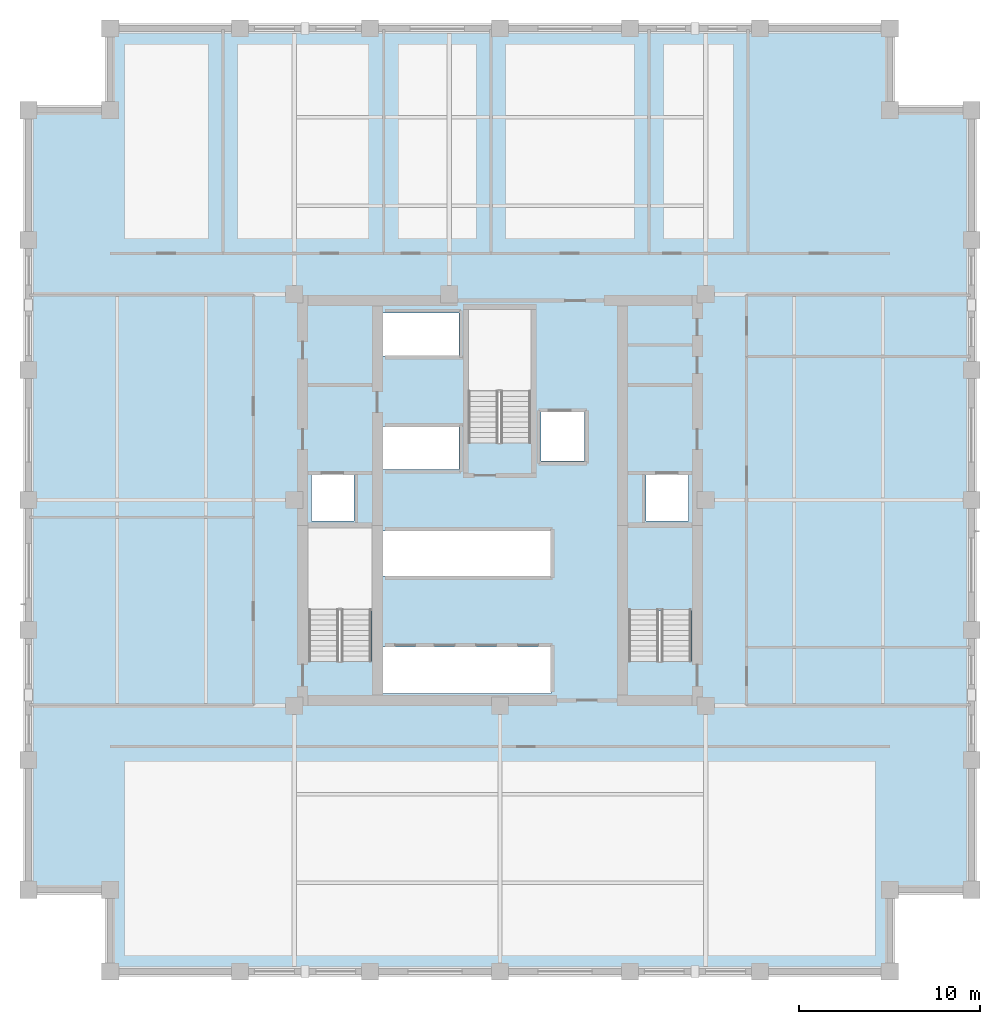
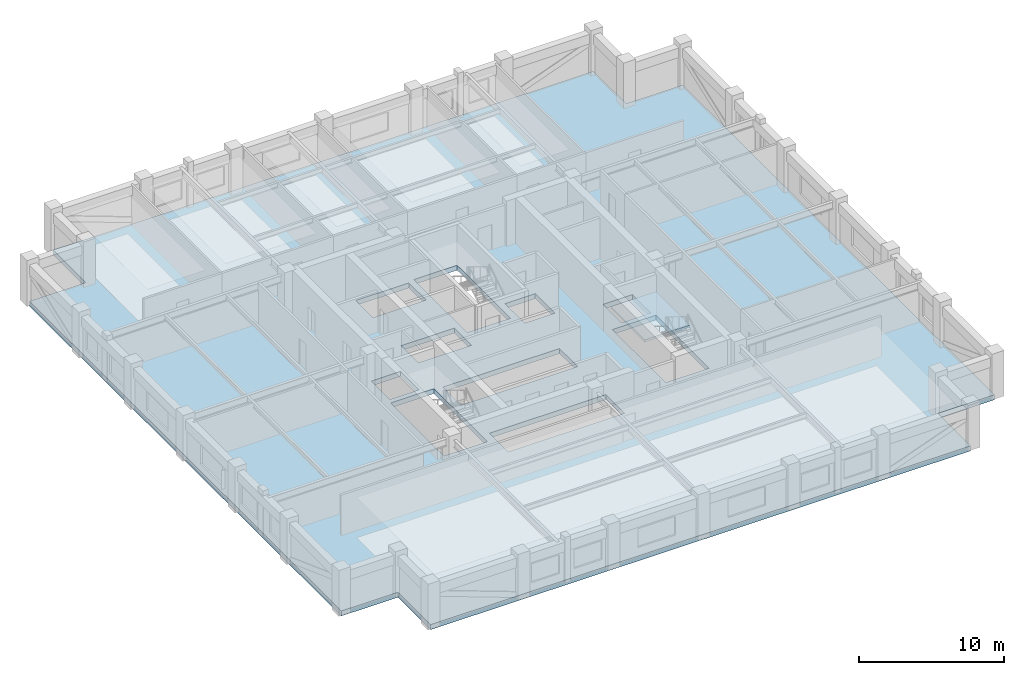
# One storey, part 3 of 12: 2 slabs, 1 element without a shape of its own.
"""IFC4 building model written with IfcOpenShell, lengths in metres."""

from ifc_helpers import new_model, si_unit, direction, frame, origin, place, context, subcontext, project, spatial, polyline, outline, extrude, material, layer, layer_set, type_object, element, aggregate, save


model = new_model("IFC4")

# Units and contexts
model_context = context("Model", 3, precision=1e-05, world=origin(), true_north=direction((0.0, 1.0)))
body_context = subcontext(model_context, "Body", "Model", "MODEL_VIEW")
ifc_project = project(units=[si_unit("LENGTHUNIT", "METRE"), si_unit("AREAUNIT", "SQUARE_METRE"), si_unit("VOLUMEUNIT", "CUBIC_METRE"), si_unit("PLANEANGLEUNIT", "RADIAN"), si_unit("MASSUNIT", "GRAM", prefix="KILO")], contexts=[model_context])

# Site, building, storey
site_placement = place(None, origin())
site = spatial("IfcSite", under=ifc_project, at=site_placement, CompositionType="ELEMENT")
building_placement = place(site_placement, origin())
building = spatial("IfcBuilding", under=site, at=building_placement, Name="Nhamokura Convention Tower", CompositionType="ELEMENT")
storey_placement = place(building_placement, frame((0.0, 0.0, 110.60009765625)))
storey = spatial("IfcBuildingStorey", under=building, at=storey_placement, Name="L26", CompositionType="ELEMENT", Elevation=110.60009765625)

# Stair, slab
ifc_material_1 = material(Name="Concrete C40/50", Category="concrete")
stair_type = type_object("IfcStairType", Name="TowerCoreStair_1650", PredefinedType="HALF_TURN_STAIR", material=ifc_material_1)
stair_placement = place(storey_placement, origin())
stair = element("IfcStair", 1, at=stair_placement, inside=storey, type_object=stair_type, Name="L26 East Core Smokeproof Stair ST-02", PredefinedType="HALF_TURN_STAIR")
ifc_material_2 = material(Name="Concrete C40/50", Category="concrete")
ifc_layer_1 = layer(ifc_material_2, 0.199951171875)
ifc_layer_set_1 = layer_set([ifc_layer_1], Name="StairLandingSlab_200")
slab_type_1 = type_object("IfcSlabType", Name="StairLandingSlab_200", PredefinedType="LANDING", material=ifc_layer_set_1)
slab_1_placement = place(storey_placement, frame((0.0, 0.0, 1.724853515625)))
slab_1 = element("IfcSlab", 2, at=slab_1_placement, type_object=slab_type_1, Name="ST-02 landing 1", PredefinedType="LANDING", context=body_context, shape_type="SweptSolid", body=[
    extrude(outline(polyline([(42.6298828125, 25.8701171875), (42.6298828125, 30.530029296875), (39.02001953125, 30.530029296875), (39.02001953125, 25.8701171875), (42.6298828125, 25.8701171875)])), origin(), (0.0, 0.0, 1.0), 0.199951171875),
])
aggregate(stair, [slab_1])

# Slab
ifc_material_3 = material(Name="Concrete C50/60", Category="concrete")
ifc_layer_2 = layer(ifc_material_3, 0.419921875)
ifc_layer_set_2 = layer_set([ifc_layer_2], Name="TransferDeckSlab_380")
slab_type_2 = type_object("IfcSlabType", Name="TransferDeckSlab_380", PredefinedType="FLOOR", material=ifc_layer_set_2)
slab_2_placement = place(storey_placement, frame((0.0, 0.0, -0.420166015625)))
element("IfcSlab", 3, at=slab_2_placement, inside=storey, type_object=slab_type_2, Name="L26 Structural Floor Slab", PredefinedType="FLOOR", context=body_context, shape_type="SweptSolid", body=[
    extrude(outline(polyline([(10.5, 6.0), (53.5, 6.0), (53.5, 10.5), (58.0, 10.5), (58.0, 53.5), (53.5, 53.5), (53.5, 58.0), (10.5, 58.0), (10.5, 53.5), (6.0, 53.5), (6.0, 10.5), (10.5, 10.5), (10.5, 6.0)]), holes=[polyline([(24.89990234375, 23.10009765625), (24.89990234375, 30.449951171875), (21.449951171875, 30.449951171875), (21.449951171875, 23.10009765625), (24.89990234375, 23.10009765625)]), polyline([(42.550048828125, 23.10009765625), (42.550048828125, 30.449951171875), (39.10009765625, 30.449951171875), (39.10009765625, 23.10009765625), (42.550048828125, 23.10009765625)]), polyline([(33.699951171875, 35.14990234375), (33.699951171875, 42.5), (30.25, 42.5), (30.25, 35.14990234375), (33.699951171875, 35.14990234375)]), polyline([(21.60009765625, 30.85009765625), (23.949951171875, 30.85009765625), (23.949951171875, 33.39990234375), (21.60009765625, 33.39990234375), (21.60009765625, 30.85009765625)]), polyline([(40.050048828125, 30.85009765625), (42.39990234375, 30.85009765625), (42.39990234375, 33.39990234375), (40.050048828125, 33.39990234375), (40.050048828125, 30.85009765625)]), polyline([(34.25, 34.14990234375), (36.64990234375, 34.14990234375), (36.64990234375, 36.85009765625), (34.25, 36.85009765625), (34.25, 34.14990234375)]), polyline([(25.52001953125, 21.320068359375), (34.800048828125, 21.320068359375), (34.800048828125, 23.89990234375), (25.52001953125, 23.89990234375), (25.52001953125, 21.320068359375)]), polyline([(25.52001953125, 27.800048828125), (34.800048828125, 27.800048828125), (34.800048828125, 30.300048828125), (25.52001953125, 30.300048828125), (25.52001953125, 27.800048828125)]), polyline([(25.52001953125, 33.679931640625), (29.75, 33.679931640625), (29.75, 36.050048828125), (25.52001953125, 36.050048828125), (25.52001953125, 33.679931640625)]), polyline([(25.52001953125, 39.949951171875), (29.75, 39.949951171875), (29.75, 42.320068359375), (25.52001953125, 42.320068359375), (25.52001953125, 39.949951171875)])]), origin(), (0.0, 0.0, 1.0), 0.420166015625),
])

save(model, "model.ifc")
